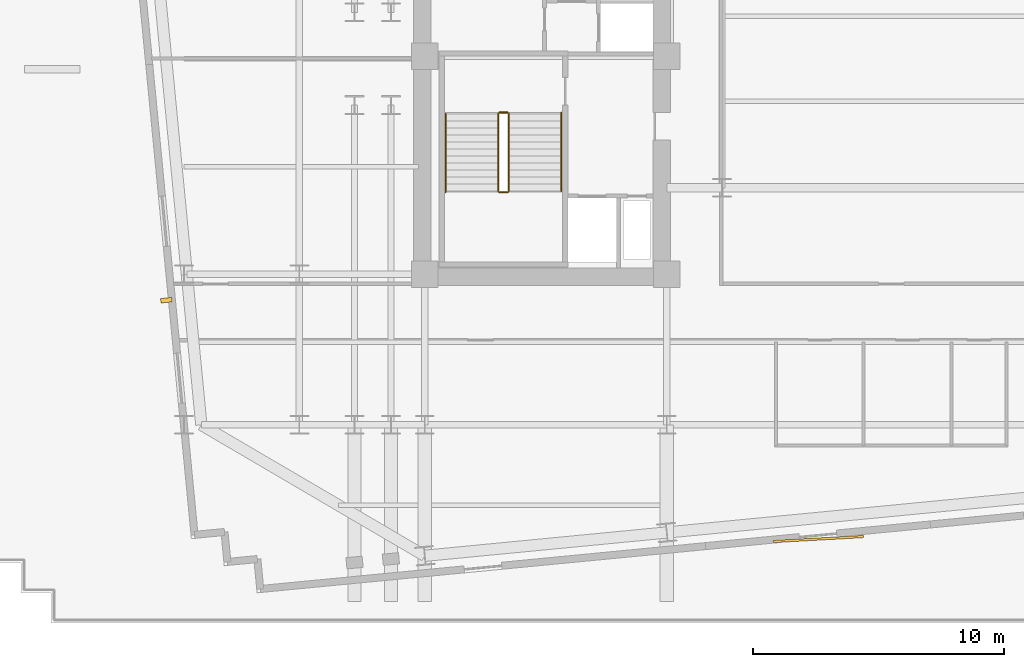
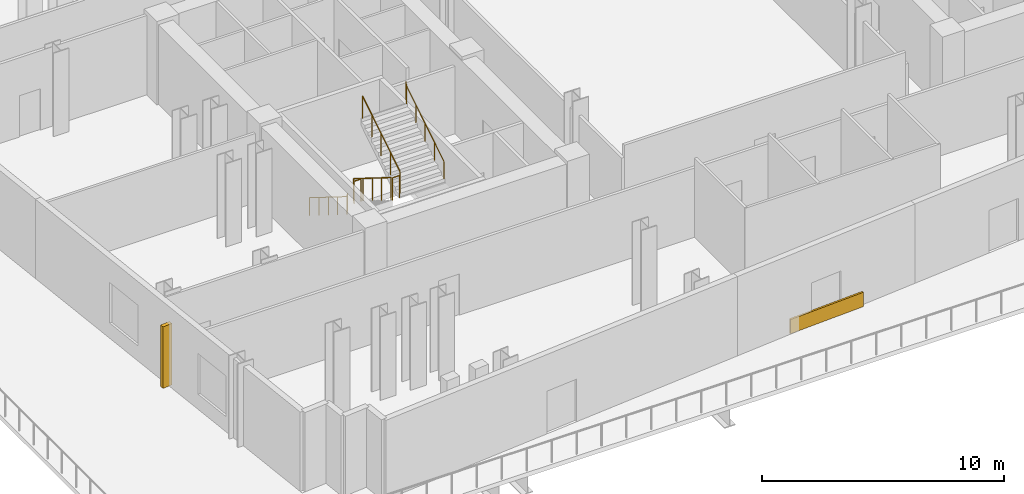
# One storey, part 10 of 14: 6 railings, 1 covering, 1 shading device.
"""IFC4 building model written with IfcOpenShell, lengths in metres."""

from ifc_helpers import new_model, si_unit, direction, frame, origin, origin_2d, place, context, subcontext, project, spatial, rectangle, circle, extrude, material, layer, layer_set, type_object, element, save


model = new_model("IFC4")

# Units and contexts
model_context = context("Model", 3, precision=1e-05, world=origin(), true_north=direction((0.0, 1.0)))
body_context = subcontext(model_context, "Body", "Model", "MODEL_VIEW")
ifc_project = project(units=[si_unit("LENGTHUNIT", "METRE"), si_unit("AREAUNIT", "SQUARE_METRE"), si_unit("VOLUMEUNIT", "CUBIC_METRE"), si_unit("PLANEANGLEUNIT", "RADIAN"), si_unit("MASSUNIT", "GRAM", prefix="KILO")], contexts=[model_context])

# Site, building, storey
site_placement = place(None, origin())
site = spatial("IfcSite", under=ifc_project, at=site_placement, CompositionType="ELEMENT")
building_placement = place(site_placement, origin())
building = spatial("IfcBuilding", under=site, at=building_placement, Name="Velakula Bourse", CompositionType="ELEMENT")
storey_placement = place(building_placement, frame((0.0, 0.0, 70.0)))
storey = spatial("IfcBuildingStorey", under=building, at=storey_placement, Name="L18", CompositionType="ELEMENT", Elevation=70.0)

# Covering
ifc_material_1 = material(Name="Buff kilned clay facing brick masonry", Category="masonry")
ifc_layer = layer(ifc_material_1, 0.074951171875, Name="Buff kilned clay facing brick masonry", Category="masonry")
ifc_layer_set = layer_set([ifc_layer], Name="Buff kilned clay facing brick masonry")
covering_type = type_object("IfcCoveringType", Name="COV-BRK-SPN-75", PredefinedType="CLADDING", material=ifc_layer_set)
covering_placement = place(storey_placement, frame((-2.908447265625, -19.154052734375, 0.0), z_axis=(0.0, 0.0, 1.0), x_axis=(0.998489097451, 0.054950179912, 0.0)))
element("IfcCovering", 1, at=covering_placement, inside=storey, type_object=covering_type, Name="L18 Folded Brick Facade Cladding Panel S-B2", PredefinedType="CLADDING", context=body_context, shape_type="SweptSolid", body=[
    extrude(rectangle(XDim=3.60009765625, YDim=0.090087890625, at=origin_2d()), origin(), (0.0, 0.0, 1.0), 0.719970703125),
])

# Railings
ifc_material_2 = material(Name="Brushed grade 316 stainless steel", Category="steel")
railing_type_1 = type_object("IfcRailingType", Name="RLG-STAIR-GUARD-1150", PredefinedType="BALUSTRADE", material=ifc_material_2)
railing_1_placement = place(storey_placement, frame((-15.672119140625, -2.199951171875, 0.175048828125)))
element("IfcRailing", 2, at=railing_1_placement, inside=storey, type_object=railing_type_1, Name="L18 ST-W1 stair guard 1", PredefinedType="BALUSTRADE", context=body_context, shape_type="SweptSolid", body=[
    extrude(circle(Radius=0.02490234375, at=origin_2d()), frame((0.0, 0.0, 1.125), z_axis=(0.0, -0.847998304005, 0.529998940003), x_axis=(1.0, 0.0, 0.0)), (0.0, 0.0, 1.0), 3.632080078125),
    extrude(circle(Radius=0.02099609375, at=origin_2d()), origin(), (0.0, 0.0, 1.0), 1.099853515625),
    extrude(circle(Radius=0.02099609375, at=origin_2d()), frame((0.0, -0.77001953125, 0.481201171875)), (0.0, 0.0, 1.0), 1.099853515625),
    extrude(circle(Radius=0.02099609375, at=origin_2d()), frame((0.0, -1.5400390625, 0.96240234375)), (0.0, 0.0, 1.0), 1.099853515625),
    extrude(circle(Radius=0.02099609375, at=origin_2d()), frame((0.0, -2.31005859375, 1.44384765625)), (0.0, 0.0, 1.0), 1.099853515625),
    extrude(circle(Radius=0.02099609375, at=origin_2d()), frame((0.0, -3.080078125, 1.925048828125)), (0.0, 0.0, 1.0), 1.099853515625),
])
railing_2_placement = place(storey_placement, frame((-15.6220703125, -5.330078125, 2.10009765625)))
element("IfcRailing", 3, at=railing_2_placement, inside=storey, type_object=railing_type_1, Name="L18 ST-W1 stair guard 2", PredefinedType="BALUSTRADE", context=body_context, shape_type="SweptSolid", body=[
    extrude(circle(Radius=0.02490234375, at=origin_2d()), frame((0.0, 0.0, 1.125), z_axis=(1.0, 0.0, 0.0), x_axis=(0.0, 1.0, 0.0)), (0.0, 0.0, 1.0), 0.323974609375),
    extrude(circle(Radius=0.02099609375, at=origin_2d()), origin(), (0.0, 0.0, 1.0), 1.099853515625),
    extrude(circle(Radius=0.02099609375, at=origin_2d()), frame((0.323974609375, 0.0, 0.0)), (0.0, 0.0, 1.0), 1.099853515625),
])
railing_3_placement = place(storey_placement, frame((-15.248046875, -5.280029296875, 2.27490234375)))
element("IfcRailing", 4, at=railing_3_placement, inside=storey, type_object=railing_type_1, Name="L18 ST-W1 stair guard 3", PredefinedType="BALUSTRADE", context=body_context, shape_type="SweptSolid", body=[
    extrude(circle(Radius=0.02490234375, at=origin_2d()), frame((0.0, 0.0, 1.125), z_axis=(0.0, 0.847998304005, 0.529998940003), x_axis=(-1.0, 0.0, 0.0)), (0.0, 0.0, 1.0), 3.632080078125),
    extrude(circle(Radius=0.02099609375, at=origin_2d()), origin(), (0.0, 0.0, 1.0), 1.099853515625),
    extrude(circle(Radius=0.02099609375, at=origin_2d()), frame((0.0, 0.77001953125, 0.481201171875)), (0.0, 0.0, 1.0), 1.099853515625),
    extrude(circle(Radius=0.02099609375, at=origin_2d()), frame((0.0, 1.5400390625, 0.96240234375)), (0.0, 0.0, 1.0), 1.099853515625),
    extrude(circle(Radius=0.02099609375, at=origin_2d()), frame((0.0, 2.31005859375, 1.44384765625)), (0.0, 0.0, 1.0), 1.099853515625),
    extrude(circle(Radius=0.02099609375, at=origin_2d()), frame((0.0, 3.080078125, 1.925048828125)), (0.0, 0.0, 1.0), 1.099853515625),
])
railing_4_placement = place(storey_placement, frame((-15.6220703125, -2.14990234375, 0.0)))
element("IfcRailing", 5, at=railing_4_placement, inside=storey, type_object=railing_type_1, Name="L18 ST-W1 stair guard 4", PredefinedType="BALUSTRADE", context=body_context, shape_type="SweptSolid", body=[
    extrude(circle(Radius=0.02490234375, at=origin_2d()), frame((0.0, 0.0, 1.125), z_axis=(1.0, 0.0, 0.0), x_axis=(0.0, 1.0, 0.0)), (0.0, 0.0, 1.0), 0.323974609375),
    extrude(circle(Radius=0.02099609375, at=origin_2d()), origin(), (0.0, 0.0, 1.0), 1.099853515625),
    extrude(circle(Radius=0.02099609375, at=origin_2d()), frame((0.323974609375, 0.0, 0.0)), (0.0, 0.0, 1.0), 1.099853515625),
])
railing_type_2 = type_object("IfcRailingType", Name="RLG-STAIR-HAND-920", PredefinedType="HANDRAIL", material=ifc_material_2)
railing_5_placement = place(storey_placement, frame((-17.77001953125, -2.199951171875, 0.175048828125)))
element("IfcRailing", 6, at=railing_5_placement, inside=storey, type_object=railing_type_2, Name="L18 ST-W1 stair handrail 1", PredefinedType="HANDRAIL", context=body_context, shape_type="SweptSolid", body=[
    extrude(circle(Radius=0.02099609375, at=origin_2d()), frame((0.0, 0.0, 0.89892578125), z_axis=(0.0, -0.847998304005, 0.529998940003), x_axis=(1.0, 0.0, 0.0)), (0.0, 0.0, 1.0), 3.632080078125),
    extrude(circle(Radius=0.02099609375, at=origin_2d()), frame((0.0, -3.080078125, 2.823974609375), z_axis=(0.0, -0.223268366363, 0.974757014123), x_axis=(1.0, 0.0, 0.0)), (0.0, 0.0, 1.0), 0.179443359375),
    extrude(circle(Radius=0.02099609375, at=origin_2d()), frame((0.0, -3.1201171875, 2.998779296875), z_axis=(0.0, -1.0, 0.0), x_axis=(1.0, 0.0, 0.0)), (0.0, 0.0, 1.0), 0.0048828125),
    extrude(circle(Radius=0.02099609375, at=origin_2d()), origin(), (0.0, 0.0, 1.0), 0.8779296875),
    extrude(circle(Radius=0.02099609375, at=origin_2d()), frame((0.0, -0.77001953125, 0.481201171875)), (0.0, 0.0, 1.0), 0.8779296875),
    extrude(circle(Radius=0.02099609375, at=origin_2d()), frame((0.0, -1.5400390625, 0.96240234375)), (0.0, 0.0, 1.0), 0.8779296875),
    extrude(circle(Radius=0.02099609375, at=origin_2d()), frame((0.0, -2.31005859375, 1.44384765625)), (0.0, 0.0, 1.0), 0.8779296875),
    extrude(circle(Radius=0.02099609375, at=origin_2d()), frame((0.0, -3.080078125, 1.925048828125)), (0.0, 0.0, 1.0), 0.8779296875),
    extrude(circle(Radius=0.02099609375, at=origin_2d()), frame((0.0, -3.1201171875, 2.099853515625)), (0.0, 0.0, 1.0), 0.8779296875),
    extrude(circle(Radius=0.02099609375, at=origin_2d()), frame((0.0, -3.125, 2.099853515625)), (0.0, 0.0, 1.0), 0.8779296875),
])
railing_6_placement = place(storey_placement, frame((-13.14990234375, -5.280029296875, 2.27490234375)))
element("IfcRailing", 7, at=railing_6_placement, inside=storey, type_object=railing_type_2, Name="L18 ST-W1 stair handrail 2", PredefinedType="HANDRAIL", context=body_context, shape_type="SweptSolid", body=[
    extrude(circle(Radius=0.02099609375, at=origin_2d()), frame((0.0, 0.0, 0.89892578125), z_axis=(0.0, 0.847998304005, 0.529998940003), x_axis=(-1.0, 0.0, 0.0)), (0.0, 0.0, 1.0), 3.632080078125),
    extrude(circle(Radius=0.02099609375, at=origin_2d()), frame((0.0, 3.080078125, 2.823974609375), z_axis=(0.0, 0.222972465624, 0.974824743004), x_axis=(-1.0, 0.0, 0.0)), (0.0, 0.0, 1.0), 0.1796875),
    extrude(circle(Radius=0.02099609375, at=origin_2d()), frame((0.0, 3.1201171875, 2.9990234375), z_axis=(0.0, 1.0, 0.0), x_axis=(-1.0, 0.0, 0.0)), (0.0, 0.0, 1.0), 0.0048828125),
    extrude(circle(Radius=0.02099609375, at=origin_2d()), origin(), (0.0, 0.0, 1.0), 0.8779296875),
    extrude(circle(Radius=0.02099609375, at=origin_2d()), frame((0.0, 0.77001953125, 0.481201171875)), (0.0, 0.0, 1.0), 0.8779296875),
    extrude(circle(Radius=0.02099609375, at=origin_2d()), frame((0.0, 1.5400390625, 0.96240234375)), (0.0, 0.0, 1.0), 0.8779296875),
    extrude(circle(Radius=0.02099609375, at=origin_2d()), frame((0.0, 2.31005859375, 1.44384765625)), (0.0, 0.0, 1.0), 0.8779296875),
    extrude(circle(Radius=0.02099609375, at=origin_2d()), frame((0.0, 3.080078125, 1.925048828125)), (0.0, 0.0, 1.0), 0.8779296875),
    extrude(circle(Radius=0.02099609375, at=origin_2d()), frame((0.0, 3.1201171875, 2.10009765625)), (0.0, 0.0, 1.0), 0.8779296875),
    extrude(circle(Radius=0.02099609375, at=origin_2d()), frame((0.0, 3.125, 2.10009765625)), (0.0, 0.0, 1.0), 0.8779296875),
])

# Shading device
ifc_material_3 = material(Name="Anodised bronze architectural aluminium", Category="aluminium")
shading_device_type = type_object("IfcShadingDeviceType", Name="SHD-FIN-450", PredefinedType="USERDEFINED", material=ifc_material_3)
shading_device_placement = place(storey_placement, frame((-28.90087890625, -9.631591796875, 0.0), z_axis=(0.0, 0.0, 1.0), x_axis=(0.995396198367, 0.09584575252, 0.0)))
element("IfcShadingDevice", 8, at=shading_device_placement, inside=storey, type_object=shading_device_type, Name="L18 Vertical Bronze Solar Shading Fin W", ObjectType="FIN", PredefinedType="USERDEFINED", context=body_context, shape_type="SweptSolid", body=[
    extrude(rectangle(XDim=0.449951171875, YDim=0.179931640625, at=origin_2d()), origin(), (0.0, 0.0, 1.0), 3.10009765625),
])

save(model, "model.ifc")
